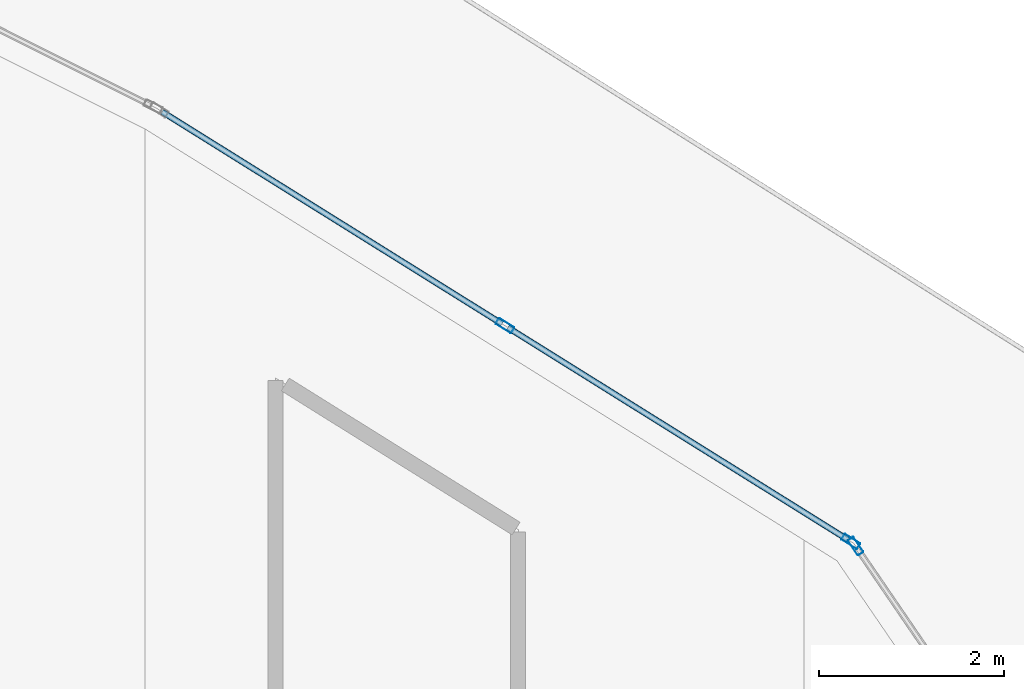
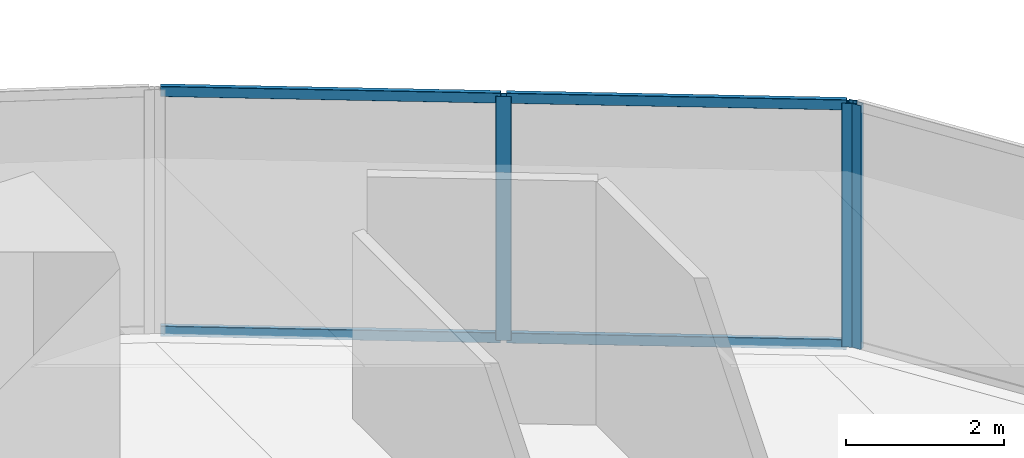
# One storey, part 23 of 39: 7 members, 2 elements without a shape of their own.
"""IFC4 building model written with IfcOpenShell, lengths in metres."""

from ifc_helpers import new_model, si_unit, direction, frame, origin, origin_2d, place, context, subcontext, project, spatial, hollow_rectangle, extrude, material, layer, layer_set, material_profile, profile_set, type_object, element, aggregate, save


model = new_model("IFC4")

# Units and contexts
model_context = context("Model", 3, precision=1e-05, world=origin(), true_north=direction((0.0, 1.0)))
body_context = subcontext(model_context, "Body", "Model", "MODEL_VIEW")
ifc_project = project(units=[si_unit("LENGTHUNIT", "METRE"), si_unit("AREAUNIT", "SQUARE_METRE"), si_unit("VOLUMEUNIT", "CUBIC_METRE"), si_unit("PLANEANGLEUNIT", "RADIAN"), si_unit("MASSUNIT", "GRAM", prefix="KILO")], contexts=[model_context])

# Site, building, storey
site_placement = place(None, origin())
site = spatial("IfcSite", under=ifc_project, at=site_placement, CompositionType="ELEMENT")
building_placement = place(site_placement, origin())
building = spatial("IfcBuilding", under=site, at=building_placement, Name="Qorvath Tower", CompositionType="ELEMENT")
storey_placement = place(building_placement, frame((0.0, 0.0, 154.35009765625)))
storey = spatial("IfcBuildingStorey", under=building, at=storey_placement, Name="L35", CompositionType="ELEMENT", Elevation=154.35009765625)

# Curtain wall, member
ifc_material_1 = material(Name="Anodised aluminium and triple low-E glass", Category="aluminium")
ifc_layer = layer(ifc_material_1, 0.179931640625)
ifc_layer_set = layer_set([ifc_layer], Name="CW-SYS-5")
curtain_wall_type = type_object("IfcCurtainWallType", Name="CW-SYS-5", PredefinedType="NOTDEFINED", material=ifc_layer_set)
curtain_wall_1_placement = place(storey_placement, origin())
curtain_wall_1 = element("IfcCurtainWall", 1, at=curtain_wall_1_placement, inside=storey, type_object=curtain_wall_type, Name="Curtain Wall CW-5 CW-T-L35-13.1", PredefinedType="NOTDEFINED")
ifc_material_2 = material(Name="Anodised aluminium 6063-T6", Category="aluminium")
ifc_material_profile_1 = material_profile(ifc_material_2, hollow_rectangle(XDim=0.074951171875, YDim=0.199951171875, WallThickness=0.00390625, InnerFilletRadius=0.00390625, OuterFilletRadius=0.008056640625, at=origin_2d()), Name="CWM 200x75")
ifc_profile_set_1 = profile_set([ifc_material_profile_1], Name="Anodised aluminium 6063-T6")
member_type_1 = type_object("IfcMemberType", Name="CWM-200", PredefinedType="MULLION", material=ifc_profile_set_1)
member_1_placement = place(storey_placement, frame((-4.35205078125, 22.786376953125, 0.0), z_axis=(0.0, 0.0, 1.0), x_axis=(-0.825580649528, -0.564284140416, 0.0)))
member_1 = element("IfcMember", 2, at=member_1_placement, type_object=member_type_1, Name="CW-5 mullion 2", PredefinedType="MULLION", context=body_context, shape_type="SweptSolid", body=[
    extrude(hollow_rectangle(XDim=0.074951171875, YDim=0.199951171875, WallThickness=0.00390625, InnerFilletRadius=0.00390625, OuterFilletRadius=0.008056640625, at=origin_2d()), origin(), (0.0, 0.0, 1.0), 3.77978515625),
])
aggregate(curtain_wall_1, [member_1])

# Curtain wall, members
curtain_wall_2_placement = place(storey_placement, origin())
curtain_wall_2 = element("IfcCurtainWall", 3, at=curtain_wall_2_placement, inside=storey, type_object=curtain_wall_type, Name="Curtain Wall CW-5 CW-T-L35-14.1", PredefinedType="NOTDEFINED")
member_2_placement = place(storey_placement, frame((-4.405029296875, 22.837158203125, 0.0), z_axis=(0.0, 0.0, 1.0), x_axis=(-0.529393344809, -0.848376500424, 0.0)))
member_2 = element("IfcMember", 4, at=member_2_placement, type_object=member_type_1, Name="CW-5 mullion 1", PredefinedType="MULLION", context=body_context, shape_type="SweptSolid", body=[
    extrude(hollow_rectangle(XDim=0.074951171875, YDim=0.199951171875, WallThickness=0.00390625, InnerFilletRadius=0.00390625, OuterFilletRadius=0.008056640625, at=origin_2d()), origin(), (0.0, 0.0, 1.0), 3.77978515625),
])
member_3_placement = place(storey_placement, frame((-8.133056640625, 25.163330078125, 0.0), z_axis=(0.0, 0.0, 1.0), x_axis=(-0.529393344809, -0.848376500424, 0.0)))
member_3 = element("IfcMember", 5, at=member_3_placement, type_object=member_type_1, Name="CW-5 mullion 2", PredefinedType="MULLION", context=body_context, shape_type="SweptSolid", body=[
    extrude(hollow_rectangle(XDim=0.074951171875, YDim=0.199951171875, WallThickness=0.00390625, InnerFilletRadius=0.00390625, OuterFilletRadius=0.008056640625, at=origin_2d()), origin(), (0.0, 0.0, 1.0), 3.77978515625),
])
ifc_material_3 = material(Name="Anodised aluminium 6063-T6", Category="aluminium")
ifc_material_profile_2 = material_profile(ifc_material_3, hollow_rectangle(XDim=0.06494140625, YDim=0.159912109375, WallThickness=0.00341796875, InnerFilletRadius=0.00341796875, OuterFilletRadius=0.007080078125, at=origin_2d()), Name="CWT 160x65")
ifc_profile_set_2 = profile_set([ifc_material_profile_2], Name="Anodised aluminium 6063-T6")
member_type_2 = type_object("IfcMemberType", Name="CWT-160", PredefinedType="USERDEFINED", material=ifc_profile_set_2)
member_4_placement = place(storey_placement, frame((-4.43701171875, 22.857177734375, 0.032470703125), z_axis=(-0.848379175552, 0.529389057772, 0.0), x_axis=(-0.529389057772, -0.848379175552, 0.0)))
member_4 = element("IfcMember", 6, at=member_4_placement, type_object=member_type_2, Name="CW-5 transom 1.1", ObjectType="TRANSOM", PredefinedType="USERDEFINED", context=body_context, shape_type="SweptSolid", body=[
    extrude(hollow_rectangle(XDim=0.06494140625, YDim=0.159912109375, WallThickness=0.00341796875, InnerFilletRadius=0.00341796875, OuterFilletRadius=0.007080078125, at=origin_2d()), origin(), (0.0, 0.0, 1.0), 4.31884765625),
])
member_5_placement = place(storey_placement, frame((-4.43701171875, 22.857177734375, 3.747314453125), z_axis=(-0.848379175552, 0.529389057772, 0.0), x_axis=(-0.529389057772, -0.848379175552, 0.0)))
member_5 = element("IfcMember", 7, at=member_5_placement, type_object=member_type_2, Name="CW-5 transom 1.2", ObjectType="TRANSOM", PredefinedType="USERDEFINED", context=body_context, shape_type="SweptSolid", body=[
    extrude(hollow_rectangle(XDim=0.06494140625, YDim=0.159912109375, WallThickness=0.00341796875, InnerFilletRadius=0.00341796875, OuterFilletRadius=0.007080078125, at=origin_2d()), origin(), (0.0, 0.0, 1.0), 4.31884765625),
])
member_6_placement = place(storey_placement, frame((-8.164794921875, 25.183349609375, 0.032470703125), z_axis=(-0.848379175552, 0.529389057772, 0.0), x_axis=(-0.529389057772, -0.848379175552, 0.0)))
member_6 = element("IfcMember", 8, at=member_6_placement, type_object=member_type_2, Name="CW-5 transom 2.1", ObjectType="TRANSOM", PredefinedType="USERDEFINED", context=body_context, shape_type="SweptSolid", body=[
    extrude(hollow_rectangle(XDim=0.06494140625, YDim=0.159912109375, WallThickness=0.00341796875, InnerFilletRadius=0.00341796875, OuterFilletRadius=0.007080078125, at=origin_2d()), origin(), (0.0, 0.0, 1.0), 4.31884765625),
])
member_7_placement = place(storey_placement, frame((-8.164794921875, 25.183349609375, 3.747314453125), z_axis=(-0.848379175552, 0.529389057772, 0.0), x_axis=(-0.529389057772, -0.848379175552, 0.0)))
member_7 = element("IfcMember", 9, at=member_7_placement, type_object=member_type_2, Name="CW-5 transom 2.2", ObjectType="TRANSOM", PredefinedType="USERDEFINED", context=body_context, shape_type="SweptSolid", body=[
    extrude(hollow_rectangle(XDim=0.06494140625, YDim=0.159912109375, WallThickness=0.00341796875, InnerFilletRadius=0.00341796875, OuterFilletRadius=0.007080078125, at=origin_2d()), origin(), (0.0, 0.0, 1.0), 4.31884765625),
])
aggregate(curtain_wall_2, [member_2, member_3, member_4, member_5, member_6, member_7])

save(model, "model.ifc")
